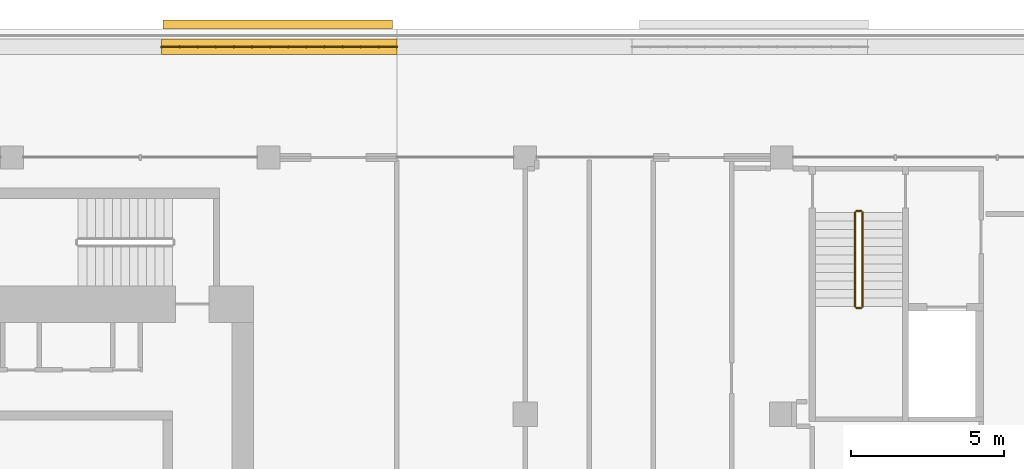
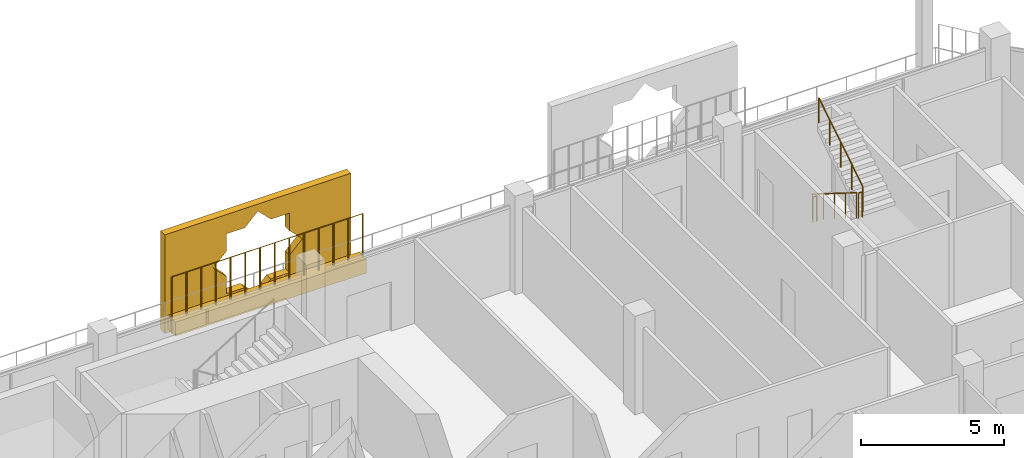
# One storey, part 21 of 22: 5 railings, 2 coverings.
"""IFC4 building model written with IfcOpenShell, lengths in metres."""

from ifc_helpers import new_model, si_unit, direction, frame, origin, origin_2d, place, context, subcontext, project, spatial, polyline, rectangle, circle, outline, extrude, material, material_profile, profile_set, type_object, element, save


model = new_model("IFC4")

# Units and contexts
model_context = context("Model", 3, precision=1e-05, world=origin(), true_north=direction((0.0, 1.0)))
body_context = subcontext(model_context, "Body", "Model", "MODEL_VIEW")
ifc_project = project(units=[si_unit("LENGTHUNIT", "METRE"), si_unit("AREAUNIT", "SQUARE_METRE"), si_unit("VOLUMEUNIT", "CUBIC_METRE"), si_unit("PLANEANGLEUNIT", "RADIAN"), si_unit("MASSUNIT", "GRAM", prefix="KILO")], contexts=[model_context])

# Site, building, storey
site_placement = place(None, origin())
site = spatial("IfcSite", under=ifc_project, at=site_placement, CompositionType="ELEMENT")
building_placement = place(site_placement, origin())
building = spatial("IfcBuilding", under=site, at=building_placement, Name="Kawkab Arch Medical Tower", CompositionType="ELEMENT")
storey_placement = place(building_placement, frame((0.0, 0.0, 298.60009765625)))
storey = spatial("IfcBuildingStorey", under=building, at=storey_placement, Name="L69", CompositionType="ELEMENT", Elevation=298.60009765625)

# Coverings
ifc_material_1 = material(Name="Bronze anodised aluminium mashrabiya panel, eight-point star pattern", Category="aluminium")
ifc_material_profile_1 = material_profile(ifc_material_1, outline(polyline([(-3.75, -2.10009765625), (3.75, -2.10009765625), (3.75, 2.10009765625), (-3.75, 2.10009765625), (-3.75, -2.10009765625)]), holes=[polyline([(1.800048828125, 0.0), (1.272705078125, 0.527099609375), (1.272705078125, 1.272705078125), (0.527099609375, 1.272705078125), (0.0, 1.800048828125), (-0.527099609375, 1.272705078125), (-1.272705078125, 1.272705078125), (-1.272705078125, 0.527099609375), (-1.800048828125, 0.0), (-1.272705078125, -0.527099609375), (-1.272705078125, -1.272705078125), (-0.527099609375, -1.272705078125), (0.0, -1.800048828125), (0.527099609375, -1.272705078125), (1.272705078125, -1.272705078125), (1.272705078125, -0.527099609375), (1.800048828125, 0.0)])]), Name="Mashrabiya panel 7500x4200")
ifc_profile_set_1 = profile_set([ifc_material_profile_1], Name="Bronze anodised aluminium mashrabiya panel, eight-point star pattern")
covering_type_1 = type_object("IfcCoveringType", Name="Mashrabiya panel 7500 x 4200", PredefinedType="USERDEFINED", material=ifc_profile_set_1)
covering_1_placement = place(storey_placement, frame((25.500732421875, 4.199951171875, 1.699951171875), z_axis=(0.0, 1.0, 0.0), x_axis=(-1.0, 0.0, 0.0)))
element("IfcCovering", 1, at=covering_1_placement, inside=storey, type_object=covering_type_1, Name="Mashrabiya panel L69.LOG-01-01.4", ObjectType="SCREEN", PredefinedType="USERDEFINED", context=body_context, shape_type="SweptSolid", body=[
    extrude(outline(polyline([(-3.75, -2.10009765625), (3.75, -2.10009765625), (3.75, 2.10009765625), (-3.75, 2.10009765625), (-3.75, -2.10009765625)]), holes=[polyline([(1.800048828125, 0.0), (1.272705078125, 0.527099609375), (1.272705078125, 1.272705078125), (0.527099609375, 1.272705078125), (0.0, 1.800048828125), (-0.527099609375, 1.272705078125), (-1.272705078125, 1.272705078125), (-1.272705078125, 0.527099609375), (-1.800048828125, 0.0), (-1.272705078125, -0.527099609375), (-1.272705078125, -1.272705078125), (-0.527099609375, -1.272705078125), (0.0, -1.800048828125), (0.527099609375, -1.272705078125), (1.272705078125, -1.272705078125), (1.272705078125, -0.527099609375), (1.800048828125, 0.0)])]), origin(), (0.0, 0.0, 1.0), 0.300048828125),
])
ifc_material_2 = material(Name="Planting soil in a precast trough", Category="concrete")
ifc_material_profile_2 = material_profile(ifc_material_2, rectangle(XDim=0.5, YDim=0.60009765625, at=origin_2d()), Name="Trough 500x600")
ifc_profile_set_2 = profile_set([ifc_material_profile_2], Name="Planting soil in a precast trough")
covering_type_2 = type_object("IfcCoveringType", Name="Planter trough 500 x 600", PredefinedType="USERDEFINED", material=ifc_profile_set_2)
covering_2_placement = place(storey_placement, frame((21.695068359375, 3.6201171875, 0.2998046875), z_axis=(1.0, 0.0, 0.0), x_axis=(0.0, 1.0, 0.0)))
element("IfcCovering", 2, at=covering_2_placement, inside=storey, type_object=covering_type_2, Name="Planter L69.LOG-01-01.15", ObjectType="PLANTER", PredefinedType="USERDEFINED", context=body_context, shape_type="SweptSolid", body=[
    extrude(rectangle(XDim=0.5, YDim=0.60009765625, at=origin_2d()), origin(), (0.0, 0.0, 1.0), 7.704833984375),
])

# Railings
ifc_material_3 = material(Name="Bronze anodised aluminium trellis for climbing plants", Category="aluminium")
railing_type_1 = type_object("IfcRailingType", Name="Planting trellis 2400", PredefinedType="USERDEFINED", material=ifc_material_3)
railing_1_placement = place(storey_placement, frame((21.695068359375, 3.6201171875, 0.0)))
element("IfcRailing", 3, at=railing_1_placement, inside=storey, type_object=railing_type_1, Name="Planting trellis L69.LOG-01-01.15", ObjectType="TRELLIS", PredefinedType="USERDEFINED", context=body_context, shape_type="SweptSolid", body=[
    extrude(circle(Radius=0.01513671875, at=origin_2d()), frame((0.0, 0.0, 2.384765625), z_axis=(1.0, 0.0, 0.0), x_axis=(0.0, 1.0, 0.0)), (0.0, 0.0, 1.0), 7.704833984375),
    extrude(circle(Radius=0.030029296875, at=origin_2d()), origin(), (0.0, 0.0, 1.0), 2.369873046875),
    extrude(circle(Radius=0.030029296875, at=origin_2d()), frame((0.5927734375, 0.0, 0.0)), (0.0, 0.0, 1.0), 2.369873046875),
    extrude(circle(Radius=0.030029296875, at=origin_2d()), frame((1.185302734375, 0.0, 0.0)), (0.0, 0.0, 1.0), 2.369873046875),
    extrude(circle(Radius=0.030029296875, at=origin_2d()), frame((1.778076171875, 0.0, 0.0)), (0.0, 0.0, 1.0), 2.369873046875),
    extrude(circle(Radius=0.030029296875, at=origin_2d()), frame((2.37060546875, 0.0, 0.0)), (0.0, 0.0, 1.0), 2.369873046875),
    extrude(circle(Radius=0.030029296875, at=origin_2d()), frame((2.96337890625, 0.0, 0.0)), (0.0, 0.0, 1.0), 2.369873046875),
    extrude(circle(Radius=0.030029296875, at=origin_2d()), frame((3.55615234375, 0.0, 0.0)), (0.0, 0.0, 1.0), 2.369873046875),
    extrude(circle(Radius=0.030029296875, at=origin_2d()), frame((4.148681640625, 0.0, 0.0)), (0.0, 0.0, 1.0), 2.369873046875),
    extrude(circle(Radius=0.030029296875, at=origin_2d()), frame((4.741455078125, 0.0, 0.0)), (0.0, 0.0, 1.0), 2.369873046875),
    extrude(circle(Radius=0.030029296875, at=origin_2d()), frame((5.334228515625, 0.0, 0.0)), (0.0, 0.0, 1.0), 2.369873046875),
    extrude(circle(Radius=0.030029296875, at=origin_2d()), frame((5.9267578125, 0.0, 0.0)), (0.0, 0.0, 1.0), 2.369873046875),
    extrude(circle(Radius=0.030029296875, at=origin_2d()), frame((6.51953125, 0.0, 0.0)), (0.0, 0.0, 1.0), 2.369873046875),
    extrude(circle(Radius=0.030029296875, at=origin_2d()), frame((7.112060546875, 0.0, 0.0)), (0.0, 0.0, 1.0), 2.369873046875),
    extrude(circle(Radius=0.030029296875, at=origin_2d()), frame((7.704833984375, 0.0, 0.0)), (0.0, 0.0, 1.0), 2.369873046875),
])
ifc_material_4 = material(Name="Stainless steel", Category="steel")
railing_type_2 = type_object("IfcRailingType", Name="Stair guard 1100", PredefinedType="GUARDRAIL", material=ifc_material_4)
railing_2_placement = place(storey_placement, frame((44.39990234375, -1.800048828125, 0.1748046875)))
element("IfcRailing", 4, at=railing_2_placement, inside=storey, type_object=railing_type_2, Name="L69 ST5 stair guard 1", PredefinedType="GUARDRAIL", context=body_context, shape_type="SweptSolid", body=[
    extrude(circle(Radius=0.02392578125, at=origin_2d()), frame((0.0, 0.0, 1.076171875), z_axis=(0.0, -0.847979421464, 0.530029150871), x_axis=(1.0, 0.0, 0.0)), (0.0, 0.0, 1.0), 3.632080078125),
    extrude(circle(Radius=0.02099609375, at=origin_2d()), origin(), (0.0, 0.0, 1.0), 1.052001953125),
    extrude(circle(Radius=0.02099609375, at=origin_2d()), frame((0.0, -0.77001953125, 0.481201171875)), (0.0, 0.0, 1.0), 1.052001953125),
    extrude(circle(Radius=0.02099609375, at=origin_2d()), frame((0.0, -1.5400390625, 0.96240234375)), (0.0, 0.0, 1.0), 1.052001953125),
    extrude(circle(Radius=0.02099609375, at=origin_2d()), frame((0.0, -2.309814453125, 1.44384765625)), (0.0, 0.0, 1.0), 1.052001953125),
    extrude(circle(Radius=0.02099609375, at=origin_2d()), frame((0.0, -3.079833984375, 1.925048828125)), (0.0, 0.0, 1.0), 1.052001953125),
])
railing_3_placement = place(storey_placement, frame((44.449951171875, -4.929931640625, 2.099853515625)))
element("IfcRailing", 5, at=railing_3_placement, inside=storey, type_object=railing_type_2, Name="L69 ST5 stair guard 2", PredefinedType="GUARDRAIL", context=body_context, shape_type="SweptSolid", body=[
    extrude(circle(Radius=0.02392578125, at=origin_2d()), frame((0.0, 0.0, 1.076171875), z_axis=(1.0, 0.0, 0.0), x_axis=(0.0, 1.0, 0.0)), (0.0, 0.0, 1.0), 0.150146484375),
    extrude(circle(Radius=0.02099609375, at=origin_2d()), origin(), (0.0, 0.0, 1.0), 1.052001953125),
    extrude(circle(Radius=0.02099609375, at=origin_2d()), frame((0.150146484375, 0.0, 0.0)), (0.0, 0.0, 1.0), 1.052001953125),
])
railing_4_placement = place(storey_placement, frame((44.64990234375, -4.8798828125, 2.27490234375)))
element("IfcRailing", 6, at=railing_4_placement, inside=storey, type_object=railing_type_2, Name="L69 ST5 stair guard 3", PredefinedType="GUARDRAIL", context=body_context, shape_type="SweptSolid", body=[
    extrude(circle(Radius=0.02392578125, at=origin_2d()), frame((0.0, 0.0, 1.076171875), z_axis=(0.0, 0.847979421464, 0.530029150871), x_axis=(-1.0, 0.0, 0.0)), (0.0, 0.0, 1.0), 3.632080078125),
    extrude(circle(Radius=0.02099609375, at=origin_2d()), origin(), (0.0, 0.0, 1.0), 1.052001953125),
    extrude(circle(Radius=0.02099609375, at=origin_2d()), frame((0.0, 0.77001953125, 0.481201171875)), (0.0, 0.0, 1.0), 1.052001953125),
    extrude(circle(Radius=0.02099609375, at=origin_2d()), frame((0.0, 1.5400390625, 0.96240234375)), (0.0, 0.0, 1.0), 1.052001953125),
    extrude(circle(Radius=0.02099609375, at=origin_2d()), frame((0.0, 2.309814453125, 1.44384765625)), (0.0, 0.0, 1.0), 1.052001953125),
    extrude(circle(Radius=0.02099609375, at=origin_2d()), frame((0.0, 3.079833984375, 1.925048828125)), (0.0, 0.0, 1.0), 1.052001953125),
])
railing_5_placement = place(storey_placement, frame((44.449951171875, -1.75, 0.0)))
element("IfcRailing", 7, at=railing_5_placement, inside=storey, type_object=railing_type_2, Name="L69 ST5 stair guard 4", PredefinedType="GUARDRAIL", context=body_context, shape_type="SweptSolid", body=[
    extrude(circle(Radius=0.02392578125, at=origin_2d()), frame((0.0, 0.0, 1.076171875), z_axis=(1.0, 0.0, 0.0), x_axis=(0.0, 1.0, 0.0)), (0.0, 0.0, 1.0), 0.150146484375),
    extrude(circle(Radius=0.02099609375, at=origin_2d()), origin(), (0.0, 0.0, 1.0), 1.052001953125),
    extrude(circle(Radius=0.02099609375, at=origin_2d()), frame((0.150146484375, 0.0, 0.0)), (0.0, 0.0, 1.0), 1.052001953125),
])

save(model, "model.ifc")
